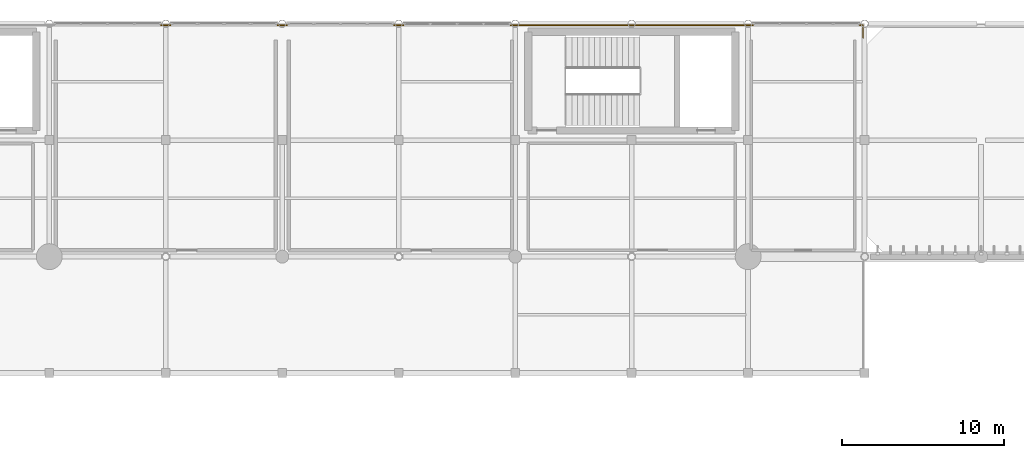
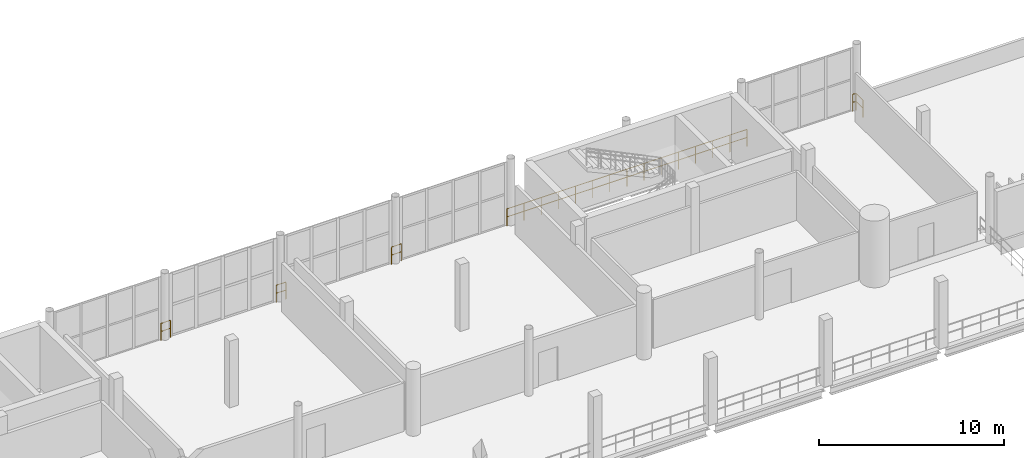
# One storey, part 81 of 81: 5 railings.
"""IFC4 building model written with IfcOpenShell, lengths in metres."""

from ifc_helpers import new_model, si_unit, direction, frame, origin, origin_2d, place, context, subcontext, project, spatial, circle, extrude, material, type_object, element, save


model = new_model("IFC4")

# Units and contexts
model_context = context("Model", 3, precision=1e-05, world=origin(), true_north=direction((0.0, 1.0)))
body_context = subcontext(model_context, "Body", "Model", "MODEL_VIEW")
ifc_project = project(units=[si_unit("LENGTHUNIT", "METRE"), si_unit("AREAUNIT", "SQUARE_METRE"), si_unit("VOLUMEUNIT", "CUBIC_METRE"), si_unit("PLANEANGLEUNIT", "RADIAN"), si_unit("MASSUNIT", "GRAM", prefix="KILO")], contexts=[model_context])

# Site, building, storey
site_placement = place(None, origin())
site = spatial("IfcSite", under=ifc_project, at=site_placement, CompositionType="ELEMENT")
building_placement = place(site_placement, origin())
building = spatial("IfcBuilding", under=site, at=building_placement, Name="Qandorah Velis Arena", CompositionType="ELEMENT")
storey_placement = place(building_placement, frame((0.0, 0.0, 18.60009765625)))
storey = spatial("IfcBuildingStorey", under=building, at=storey_placement, Name="L04", CompositionType="ELEMENT", Elevation=18.60009765625)

# Railings
ifc_material = material(Name="Stainless steel 316", Category="steel")
railing_type = type_object("IfcRailingType", Name="ARC-RL-GRD1150", PredefinedType="GUARDRAIL", material=ifc_material)
for number, where, name in (
    (1, (50.10009765625, 129.5, 0.0), "Slab edge safety guardrail L04-232"),
    (2, (57.300048828125, 129.5, 0.0), "Slab edge safety guardrail L04-233"),
):
    element("IfcRailing", number, at=place(storey_placement, frame(where)), inside=storey, type_object=railing_type, Name=name, PredefinedType="GUARDRAIL", context=body_context, shape_type="SweptSolid", body=[
        extrude(circle(Radius=0.02392578125, at=origin_2d()), frame((0.0, 0.0, 1.1259765625), z_axis=(1.0, 0.0, 0.0), x_axis=(0.0, 1.0, 0.0)), (0.0, 0.0, 1.0), 0.599853515625),
        extrude(circle(Radius=0.02392578125, at=origin_2d()), frame((0.0, 0.0, 0.597900390625), z_axis=(1.0, 0.0, 0.0), x_axis=(0.0, 1.0, 0.0)), (0.0, 0.0, 1.0), 0.599853515625),
        extrude(circle(Radius=0.02099609375, at=origin_2d()), origin(), (0.0, 0.0, 1.0), 1.101806640625),
        extrude(circle(Radius=0.02099609375, at=origin_2d()), frame((0.599853515625, 0.0, 0.0)), (0.0, 0.0, 1.0), 1.101806640625),
    ])
railing_1_placement = place(storey_placement, frame((64.5, 129.5, 0.0)))
element("IfcRailing", 3, at=railing_1_placement, inside=storey, type_object=railing_type, Name="Slab edge safety guardrail L04-234", PredefinedType="GUARDRAIL", context=body_context, shape_type="SweptSolid", body=[
    extrude(circle(Radius=0.02392578125, at=origin_2d()), frame((0.0, 0.0, 1.1259765625), z_axis=(1.0, 0.0, 0.0), x_axis=(0.0, 1.0, 0.0)), (0.0, 0.0, 1.0), 0.60009765625),
    extrude(circle(Radius=0.02392578125, at=origin_2d()), frame((0.0, 0.0, 0.597900390625), z_axis=(1.0, 0.0, 0.0), x_axis=(0.0, 1.0, 0.0)), (0.0, 0.0, 1.0), 0.60009765625),
    extrude(circle(Radius=0.02099609375, at=origin_2d()), origin(), (0.0, 0.0, 1.0), 1.101806640625),
    extrude(circle(Radius=0.02099609375, at=origin_2d()), frame((0.60009765625, 0.0, 0.0)), (0.0, 0.0, 1.0), 1.101806640625),
])
railing_2_placement = place(storey_placement, frame((71.699951171875, 129.5, 0.0)))
element("IfcRailing", 4, at=railing_2_placement, inside=storey, type_object=railing_type, Name="Slab edge safety guardrail L04-235", PredefinedType="GUARDRAIL", context=body_context, shape_type="SweptSolid", body=[
    extrude(circle(Radius=0.02392578125, at=origin_2d()), frame((0.0, 0.0, 1.1259765625), z_axis=(1.0, 0.0, 0.0), x_axis=(0.0, 1.0, 0.0)), (0.0, 0.0, 1.0), 15.0),
    extrude(circle(Radius=0.02392578125, at=origin_2d()), frame((0.0, 0.0, 0.597900390625), z_axis=(1.0, 0.0, 0.0), x_axis=(0.0, 1.0, 0.0)), (0.0, 0.0, 1.0), 15.0),
    extrude(circle(Radius=0.02099609375, at=origin_2d()), origin(), (0.0, 0.0, 1.0), 1.101806640625),
    extrude(circle(Radius=0.02099609375, at=origin_2d()), frame((1.071533203125, 0.0, 0.0)), (0.0, 0.0, 1.0), 1.101806640625),
    extrude(circle(Radius=0.02099609375, at=origin_2d()), frame((2.142822265625, 0.0, 0.0)), (0.0, 0.0, 1.0), 1.101806640625),
    extrude(circle(Radius=0.02099609375, at=origin_2d()), frame((3.21435546875, 0.0, 0.0)), (0.0, 0.0, 1.0), 1.101806640625),
    extrude(circle(Radius=0.02099609375, at=origin_2d()), frame((4.28564453125, 0.0, 0.0)), (0.0, 0.0, 1.0), 1.101806640625),
    extrude(circle(Radius=0.02099609375, at=origin_2d()), frame((5.357177734375, 0.0, 0.0)), (0.0, 0.0, 1.0), 1.101806640625),
    extrude(circle(Radius=0.02099609375, at=origin_2d()), frame((6.428466796875, 0.0, 0.0)), (0.0, 0.0, 1.0), 1.101806640625),
    extrude(circle(Radius=0.02099609375, at=origin_2d()), frame((7.5, 0.0, 0.0)), (0.0, 0.0, 1.0), 1.101806640625),
    extrude(circle(Radius=0.02099609375, at=origin_2d()), frame((8.571533203125, 0.0, 0.0)), (0.0, 0.0, 1.0), 1.101806640625),
    extrude(circle(Radius=0.02099609375, at=origin_2d()), frame((9.642822265625, 0.0, 0.0)), (0.0, 0.0, 1.0), 1.101806640625),
    extrude(circle(Radius=0.02099609375, at=origin_2d()), frame((10.71435546875, 0.0, 0.0)), (0.0, 0.0, 1.0), 1.101806640625),
    extrude(circle(Radius=0.02099609375, at=origin_2d()), frame((11.78564453125, 0.0, 0.0)), (0.0, 0.0, 1.0), 1.101806640625),
    extrude(circle(Radius=0.02099609375, at=origin_2d()), frame((12.857177734375, 0.0, 0.0)), (0.0, 0.0, 1.0), 1.101806640625),
    extrude(circle(Radius=0.02099609375, at=origin_2d()), frame((13.928466796875, 0.0, 0.0)), (0.0, 0.0, 1.0), 1.101806640625),
    extrude(circle(Radius=0.02099609375, at=origin_2d()), frame((15.0, 0.0, 0.0)), (0.0, 0.0, 1.0), 1.101806640625),
])
railing_3_placement = place(storey_placement, frame((93.300048828125, 129.5, 0.0)))
element("IfcRailing", 5, at=railing_3_placement, inside=storey, type_object=railing_type, Name="Slab edge safety guardrail L04-236", PredefinedType="GUARDRAIL", context=body_context, shape_type="SweptSolid", body=[
    extrude(circle(Radius=0.02392578125, at=origin_2d()), frame((0.0, 0.0, 1.1259765625), z_axis=(1.0, 0.0, 0.0), x_axis=(0.0, 1.0, 0.0)), (0.0, 0.0, 1.0), 0.199951171875),
    extrude(circle(Radius=0.02392578125, at=origin_2d()), frame((0.0, 0.0, 0.597900390625), z_axis=(1.0, 0.0, 0.0), x_axis=(0.0, 1.0, 0.0)), (0.0, 0.0, 1.0), 0.199951171875),
    extrude(circle(Radius=0.02392578125, at=origin_2d()), frame((0.199951171875, 0.0, 1.1259765625), z_axis=(0.0, -1.0, 0.0), x_axis=(1.0, 0.0, 0.0)), (0.0, 0.0, 1.0), 0.763671875),
    extrude(circle(Radius=0.02392578125, at=origin_2d()), frame((0.199951171875, 0.0, 0.597900390625), z_axis=(0.0, -1.0, 0.0), x_axis=(1.0, 0.0, 0.0)), (0.0, 0.0, 1.0), 0.763671875),
    extrude(circle(Radius=0.02099609375, at=origin_2d()), origin(), (0.0, 0.0, 1.0), 1.101806640625),
    extrude(circle(Radius=0.02099609375, at=origin_2d()), frame((0.199951171875, 0.0, 0.0)), (0.0, 0.0, 1.0), 1.101806640625),
    extrude(circle(Radius=0.02099609375, at=origin_2d()), frame((0.199951171875, -0.763671875, 0.0)), (0.0, 0.0, 1.0), 1.101806640625),
])

save(model, "model.ifc")
